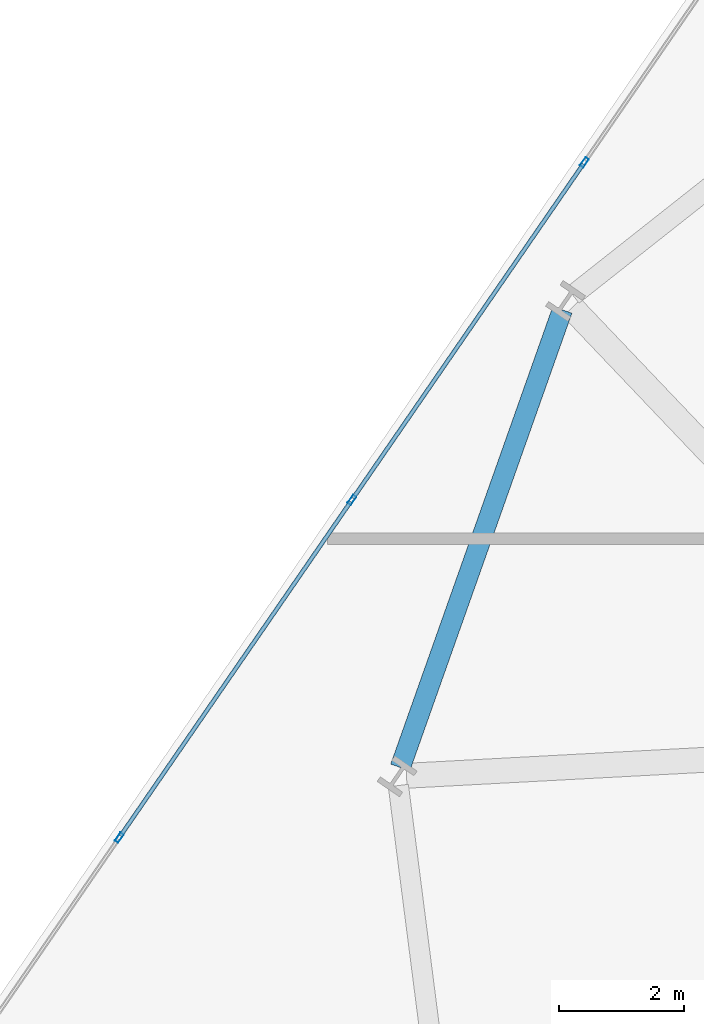
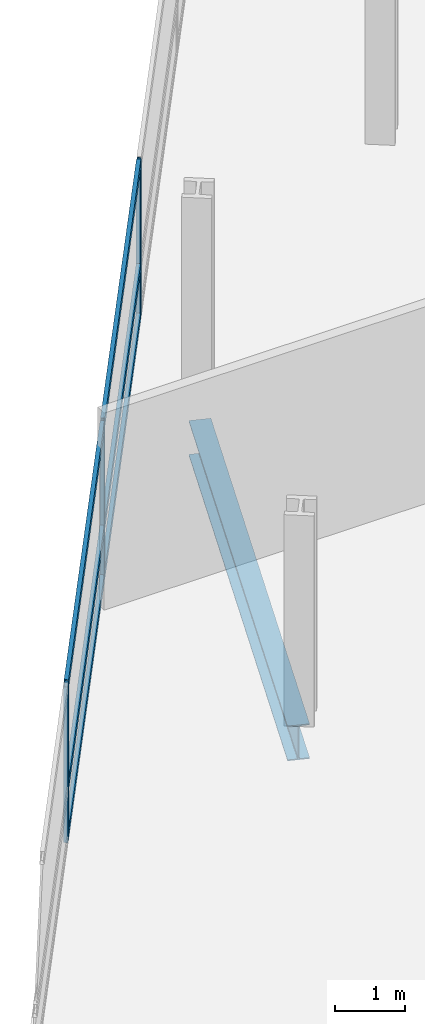
# One storey, part 6 of 27: 9 members, 1 beam, 1 element without a shape of its own.
"""IFC4 building model written with IfcOpenShell, lengths in metres."""

from ifc_helpers import new_model, si_unit, direction, frame, origin, origin_2d, place, context, subcontext, project, spatial, hollow_rectangle, i_section, extrude, material, layer, layer_set, material_profile, profile_set, type_object, element, aggregate, save


model = new_model("IFC4")

# Units and contexts
model_context = context("Model", 3, precision=1e-05, world=origin(), true_north=direction((0.0, 1.0)))
body_context = subcontext(model_context, "Body", "Model", "MODEL_VIEW")
ifc_project = project(units=[si_unit("LENGTHUNIT", "METRE"), si_unit("AREAUNIT", "SQUARE_METRE"), si_unit("VOLUMEUNIT", "CUBIC_METRE"), si_unit("PLANEANGLEUNIT", "RADIAN"), si_unit("MASSUNIT", "GRAM", prefix="KILO")], contexts=[model_context])

# Site, building, storey
site_placement = place(None, origin())
site = spatial("IfcSite", under=ifc_project, at=site_placement, CompositionType="ELEMENT")
building_placement = place(site_placement, origin())
building = spatial("IfcBuilding", under=site, at=building_placement, Name="Varnelok Gate Tower", CompositionType="ELEMENT")
storey_placement = place(building_placement, frame((0.0, 0.0, 30.699951171875)))
storey = spatial("IfcBuildingStorey", under=building, at=storey_placement, Name="L06", CompositionType="ELEMENT", Elevation=30.699951171875)

# Beam
ifc_material_1 = material(Name="Structural Steel ASTM A992 Grade 50", Category="steel")
ifc_material_profile_1 = material_profile(ifc_material_1, i_section(OverallWidth=0.323974609375, OverallDepth=0.611083984375, WebThickness=0.0126953125, FlangeThickness=0.01904296875, FilletRadius=0.01806640625, at=origin_2d()), Name="W24X104")
ifc_profile_set_1 = profile_set([ifc_material_profile_1], Name="Structural Steel ASTM A992 Grade 50")
beam_type = type_object("IfcBeamType", Name="BM-SPN-W24X104", PredefinedType="SPANDREL", material=ifc_profile_set_1)
beam_placement = place(storey_placement, frame((6.679931640625, 45.09619140625, -0.555419921875), z_axis=(-0.333877359029, -0.942616522838, 0.0), x_axis=(0.942616522838, -0.333877359029, 0.0)))
element("IfcBeam", 1, at=beam_placement, inside=storey, type_object=beam_type, Name="L06 Perimeter Spandrel Beam 15", PredefinedType="SPANDREL", context=body_context, shape_type="SweptSolid", body=[
    extrude(i_section(OverallWidth=0.323974609375, OverallDepth=0.611083984375, WebThickness=0.0126953125, FlangeThickness=0.01904296875, FilletRadius=0.01806640625, at=origin_2d()), origin(), (0.0, 0.0, 1.0), 7.77734375),
])

# Curtain wall, members
ifc_material_2 = material(Name="Anodized Aluminum Alloy 6063-T6", Category="aluminium")
ifc_layer = layer(ifc_material_2, 0.179931640625)
ifc_layer_set = layer_set([ifc_layer], Name="Anodized Aluminum Alloy 6063-T6")
curtain_wall_type = type_object("IfcCurtainWallType", Name="CW3-HOTEL-VISION", PredefinedType="USERDEFINED", material=ifc_layer_set)
curtain_wall_placement = place(storey_placement, origin())
curtain_wall = element("IfcCurtainWall", 2, at=curtain_wall_placement, inside=storey, type_object=curtain_wall_type, Name="L06 West End Vision Curtain Wall", ObjectType="UNITISED CURTAIN WALL", PredefinedType="USERDEFINED")
ifc_material_profile_2 = material_profile(ifc_material_2, hollow_rectangle(XDim=0.06494140625, YDim=0.159912109375, WallThickness=0.00390625, at=origin_2d()), Name="ALU160X65X4")
ifc_profile_set_2 = profile_set([ifc_material_profile_2], Name="Anodized Aluminum Alloy 6063-T6")
member_type_1 = type_object("IfcMemberType", Name="CW-MULL-160", PredefinedType="MULLION", material=ifc_profile_set_2)
member_1_placement = place(storey_placement, frame((-0.417236328125, 36.641845703125, 0.0), z_axis=(0.0, 0.0, 1.0), x_axis=(-0.823532685111, 0.567268822124, 0.0)))
member_1 = element("IfcMember", 3, at=member_1_placement, type_object=member_type_1, Name="CW3 mullion 2", PredefinedType="MULLION", context=body_context, shape_type="SweptSolid", body=[
    extrude(hollow_rectangle(XDim=0.06494140625, YDim=0.159912109375, WallThickness=0.00390625, at=origin_2d()), origin(), (0.0, 0.0, 1.0), 2.72998046875),
])
member_2_placement = place(storey_placement, frame((3.3076171875, 42.049560546875, 0.0), z_axis=(0.0, 0.0, 1.0), x_axis=(-0.823532685111, 0.567268822124, 0.0)))
member_2 = element("IfcMember", 4, at=member_2_placement, type_object=member_type_1, Name="CW3 mullion 3", PredefinedType="MULLION", context=body_context, shape_type="SweptSolid", body=[
    extrude(hollow_rectangle(XDim=0.06494140625, YDim=0.159912109375, WallThickness=0.00390625, at=origin_2d()), origin(), (0.0, 0.0, 1.0), 2.72998046875),
])
member_3_placement = place(storey_placement, frame((7.03271484375, 47.45751953125, 0.0), z_axis=(0.0, 0.0, 1.0), x_axis=(-0.823532685111, 0.567268822124, 0.0)))
member_3 = element("IfcMember", 5, at=member_3_placement, type_object=member_type_1, Name="CW3 mullion 4", PredefinedType="MULLION", context=body_context, shape_type="SweptSolid", body=[
    extrude(hollow_rectangle(XDim=0.06494140625, YDim=0.159912109375, WallThickness=0.00390625, at=origin_2d()), origin(), (0.0, 0.0, 1.0), 2.72998046875),
])
ifc_material_profile_3 = material_profile(ifc_material_2, hollow_rectangle(XDim=0.06494140625, YDim=0.159912109375, WallThickness=0.00390625, at=origin_2d()), Name="ALU160X65X4")
ifc_profile_set_3 = profile_set([ifc_material_profile_3], Name="Anodized Aluminum Alloy 6063-T6")
member_type_2 = type_object("IfcMemberType", Name="CW-TRAN-160", PredefinedType="USERDEFINED", material=ifc_profile_set_3)
member_4_placement = place(storey_placement, frame((-0.39892578125, 36.66845703125, 0.032470703125), z_axis=(0.567261662339, 0.823537616894, 0.0), x_axis=(-0.823537616894, 0.567261662339, 0.0)))
member_4 = element("IfcMember", 6, at=member_4_placement, type_object=member_type_2, Name="CW3 transom 2.1", ObjectType="TRANSOM", PredefinedType="USERDEFINED", context=body_context, shape_type="SweptSolid", body=[
    extrude(hollow_rectangle(XDim=0.06494140625, YDim=0.159912109375, WallThickness=0.00390625, at=origin_2d()), origin(), (0.0, 0.0, 1.0), 6.501708984375),
])
member_5_placement = place(storey_placement, frame((-0.39892578125, 36.66845703125, 0.900146484375), z_axis=(0.567261662339, 0.823537616894, 0.0), x_axis=(-0.823537616894, 0.567261662339, 0.0)))
member_5 = element("IfcMember", 7, at=member_5_placement, type_object=member_type_2, Name="CW3 transom 2.2", ObjectType="TRANSOM", PredefinedType="USERDEFINED", context=body_context, shape_type="SweptSolid", body=[
    extrude(hollow_rectangle(XDim=0.06494140625, YDim=0.159912109375, WallThickness=0.00390625, at=origin_2d()), origin(), (0.0, 0.0, 1.0), 6.501708984375),
])
member_6_placement = place(storey_placement, frame((-0.39892578125, 36.66845703125, 2.697509765625), z_axis=(0.567261662339, 0.823537616894, 0.0), x_axis=(-0.823537616894, 0.567261662339, 0.0)))
member_6 = element("IfcMember", 8, at=member_6_placement, type_object=member_type_2, Name="CW3 transom 2.3", ObjectType="TRANSOM", PredefinedType="USERDEFINED", context=body_context, shape_type="SweptSolid", body=[
    extrude(hollow_rectangle(XDim=0.06494140625, YDim=0.159912109375, WallThickness=0.00390625, at=origin_2d()), origin(), (0.0, 0.0, 1.0), 6.501708984375),
])
member_7_placement = place(storey_placement, frame((3.326171875, 42.076416015625, 0.032470703125), z_axis=(0.567279204469, 0.823525533409, 0.0), x_axis=(-0.823525533409, 0.567279204469, 0.0)))
member_7 = element("IfcMember", 9, at=member_7_placement, type_object=member_type_2, Name="CW3 transom 3.1", ObjectType="TRANSOM", PredefinedType="USERDEFINED", context=body_context, shape_type="SweptSolid", body=[
    extrude(hollow_rectangle(XDim=0.06494140625, YDim=0.159912109375, WallThickness=0.00390625, at=origin_2d()), origin(), (0.0, 0.0, 1.0), 6.501708984375),
])
member_8_placement = place(storey_placement, frame((3.326171875, 42.076416015625, 0.900146484375), z_axis=(0.567279204469, 0.823525533409, 0.0), x_axis=(-0.823525533409, 0.567279204469, 0.0)))
member_8 = element("IfcMember", 10, at=member_8_placement, type_object=member_type_2, Name="CW3 transom 3.2", ObjectType="TRANSOM", PredefinedType="USERDEFINED", context=body_context, shape_type="SweptSolid", body=[
    extrude(hollow_rectangle(XDim=0.06494140625, YDim=0.159912109375, WallThickness=0.00390625, at=origin_2d()), origin(), (0.0, 0.0, 1.0), 6.501708984375),
])
member_9_placement = place(storey_placement, frame((3.326171875, 42.076416015625, 2.697509765625), z_axis=(0.567279204469, 0.823525533409, 0.0), x_axis=(-0.823525533409, 0.567279204469, 0.0)))
member_9 = element("IfcMember", 11, at=member_9_placement, type_object=member_type_2, Name="CW3 transom 3.3", ObjectType="TRANSOM", PredefinedType="USERDEFINED", context=body_context, shape_type="SweptSolid", body=[
    extrude(hollow_rectangle(XDim=0.06494140625, YDim=0.159912109375, WallThickness=0.00390625, at=origin_2d()), origin(), (0.0, 0.0, 1.0), 6.501708984375),
])
aggregate(curtain_wall, [member_1, member_2, member_3, member_4, member_5, member_6, member_7, member_8, member_9])

save(model, "model.ifc")
